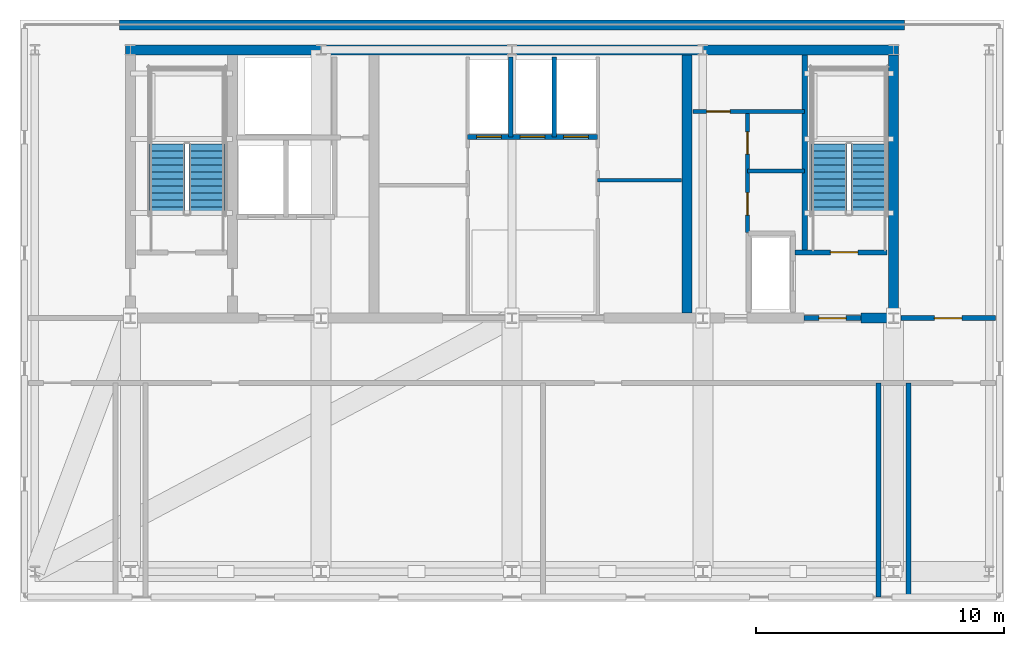
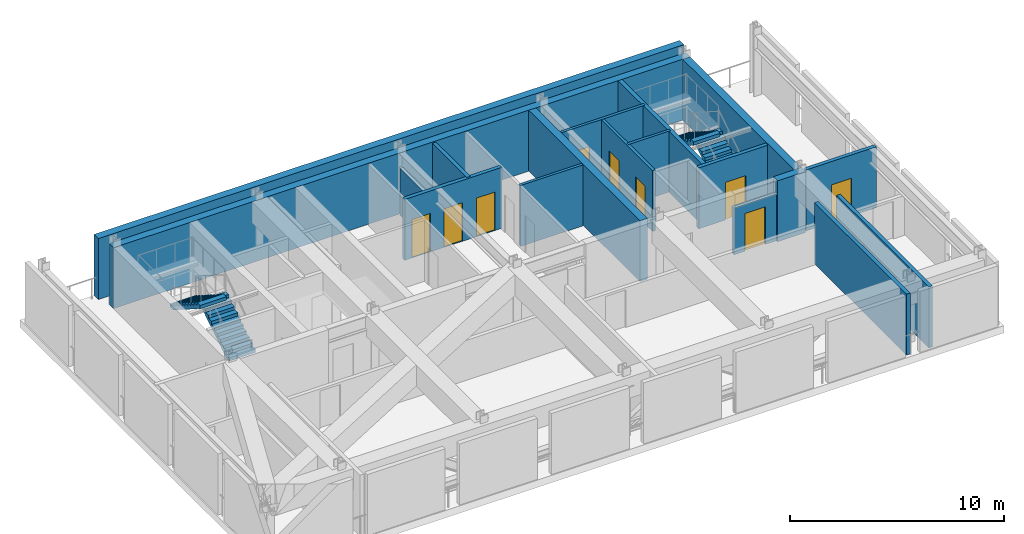
# One storey, part 3 of 8: 18 walls, 9 doors, 4 stair flights, 9 openings, 2 elements without a shape of their own.
"""IFC4 building model written with IfcOpenShell, lengths in metres."""

from ifc_helpers import new_model, si_unit, direction, frame, frame_2d, origin, place, context, subcontext, project, spatial, polyline, rectangle, outline, extrude, material, layer, layer_set, type_object, element, fill, aggregate, save


model = new_model("IFC4")

# Units and contexts
model_context = context("Model", 3, precision=1e-05, world=origin(), true_north=direction((0.0, 1.0)))
body_context = subcontext(model_context, "Body", "Model", "MODEL_VIEW")
ifc_project = project(units=[si_unit("LENGTHUNIT", "METRE"), si_unit("AREAUNIT", "SQUARE_METRE"), si_unit("VOLUMEUNIT", "CUBIC_METRE"), si_unit("PLANEANGLEUNIT", "RADIAN"), si_unit("MASSUNIT", "GRAM", prefix="KILO")], contexts=[model_context])

# Site, building, storey
site_placement = place(None, origin())
site = spatial("IfcSite", under=ifc_project, at=site_placement, CompositionType="ELEMENT")
building_placement = place(site_placement, origin())
building = spatial("IfcBuilding", under=site, at=building_placement, Name="Yelkora Congress Tower", CompositionType="ELEMENT")
storey_placement = place(building_placement, frame((0.0, 0.0, 255.199951171875)))
storey = spatial("IfcBuildingStorey", under=building, at=storey_placement, Name="L71", CompositionType="ELEMENT", Elevation=255.199951171875)

# Walls
ifc_material_1 = material(Name="Concrete C50/60", Category="concrete")
ifc_layer_1 = layer(ifc_material_1, 0.39990234375)
ifc_layer_set_1 = layer_set([ifc_layer_1], Name="Concrete C50/60")
wall_type_1 = type_object("IfcWallType", Name="WALL-CORE-EXT-400", PredefinedType="SHEAR", material=ifc_layer_set_1)
wall_1_placement = place(storey_placement, frame((22.60009765625, 47.199951171875, 0.0), z_axis=(0.0, 0.0, 1.0), x_axis=(1.0, 0.0, 0.0)))
element("IfcWall", 1, at=wall_1_placement, inside=storey, type_object=wall_type_1, Name="L71 Exterior North Core Shear Wall", PredefinedType="SHEAR", context=body_context, shape_type="SweptSolid", body=[
    extrude(rectangle(XDim=31.599853515625, YDim=0.39990234375, at=frame_2d((15.7998046875, 0.0))), origin(), (0.0, 0.0, 1.0), 3.47998046875),
])
ifc_layer_2 = layer(ifc_material_1, 0.219970703125)
ifc_layer_set_2 = layer_set([ifc_layer_2], Name="Concrete C50/60")
wall_type_2 = type_object("IfcWallType", Name="WALL-CORE-INT-220", PredefinedType="SHEAR", material=ifc_layer_set_2)
wall_2_placement = place(storey_placement, frame((50.179931640625, 38.050048828125, 0.0), z_axis=(0.0, 0.0, 1.0), x_axis=(0.0, 1.0, 0.0)))
element("IfcWall", 2, at=wall_2_placement, inside=storey, type_object=wall_type_2, Name="L71 ST02 West Stair Shear Wall", PredefinedType="SHEAR", context=body_context, shape_type="SweptSolid", body=[
    extrude(rectangle(XDim=7.949951171875, YDim=0.219970703125, at=frame_2d((3.97509765625, 0.0))), origin(), (0.0, 0.0, 1.0), 3.47998046875),
])
ifc_layer_3 = layer(ifc_material_1, 0.39990234375)
ifc_layer_set_3 = layer_set([ifc_layer_3], Name="Concrete C50/60")
wall_type_3 = type_object("IfcWallType", Name="WALL-CORE-INT-400", PredefinedType="SHEAR", material=ifc_layer_set_3)
wall_3_placement = place(storey_placement, frame((22.840087890625, 46.199951171875, 0.0), z_axis=(0.0, 0.0, 1.0), x_axis=(1.0, 0.0, 0.0)))
element("IfcWall", 3, at=wall_3_placement, inside=storey, type_object=wall_type_3, Name="L71 Rear Core North Shear Wall", PredefinedType="SHEAR", context=body_context, shape_type="SweptSolid", body=[
    extrude(rectangle(XDim=31.119873046875, YDim=0.39990234375, at=frame_2d((15.56005859375, 0.0))), origin(), (0.0, 0.0, 1.0), 3.47998046875),
])
wall_4_placement = place(storey_placement, frame((52.449951171875, 35.39990234375, 0.0), z_axis=(0.0, 0.0, 1.0), x_axis=(1.0, 0.0, 0.0)))
element("IfcWall", 4, at=wall_4_placement, inside=storey, type_object=wall_type_3, Name="L71 Rear Core South-East Shear Wall B", PredefinedType="SHEAR", context=body_context, shape_type="SweptSolid", body=[
    extrude(rectangle(XDim=1.510009765625, YDim=0.39990234375, at=frame_2d((0.7548828125, 0.0))), origin(), (0.0, 0.0, 1.0), 3.47998046875),
])
for number, where, z_axis, x_axis, name in (
    (5, (45.449951171875, 35.60009765625, 0.0), (0.0, 0.0, 1.0), (0.0, 1.0, 0.0), "L71 Rear Core Cross Shear Wall C3"),
    (6, (53.760009765625, 35.60009765625, 0.0), (0.0, 0.0, 1.0), (0.0, 1.0, 0.0), "L71 Rear Core Cross Shear Wall E"),
):
    element("IfcWall", number, at=place(storey_placement, frame(where, z_axis=z_axis, x_axis=x_axis)), inside=storey, type_object=wall_type_3, Name=name, PredefinedType="SHEAR", context=body_context, shape_type="SweptSolid", body=[
        extrude(rectangle(XDim=10.39990234375, YDim=0.39990234375, at=frame_2d((5.199951171875, 0.0))), origin(), (0.0, 0.0, 1.0), 3.47998046875),
    ])

# Wall, opening, door
ifc_material_2 = material(Name="Acoustic metal-stud gypsum partition", Category="gypsum")
ifc_layer_4 = layer(ifc_material_2, 0.14990234375)
ifc_layer_set_4 = layer_set([ifc_layer_4], Name="Acoustic metal-stud gypsum partition")
wall_type_4 = type_object("IfcWallType", Name="WALL-INT-150-NR", PredefinedType="PARTITIONING", material=ifc_layer_set_4)
wall_5_placement = place(storey_placement, frame((45.679931640625, 43.719970703125, 0.0), z_axis=(0.0, 0.0, 1.0), x_axis=(1.0, 0.0, 0.0)))
wall_5 = element("IfcWall", 7, at=wall_5_placement, inside=storey, type_object=wall_type_4, Name="L71 Partition Wall 20", PredefinedType="PARTITIONING", context=body_context, shape_type="SweptSolid", body=[
    extrude(rectangle(XDim=4.5, YDim=0.14990234375, at=frame_2d((2.25, 0.0))), origin(), (0.0, 0.0, 1.0), 3.47998046875),
])
opening_1_placement = place(wall_5_placement, frame((0.550048828125, 0.0, 0.0)))
opening_1 = element("IfcOpeningElement", 8, at=opening_1_placement, cuts=wall_5, Name="Opening DR-095N", PredefinedType="OPENING", context=body_context, shape_type="SweptSolid", body=[
    extrude(rectangle(XDim=0.949951171875, YDim=2.14990234375, at=frame_2d((0.47509765625, 1.074951171875))), frame((0.0, 0.0849609375, 0.0), z_axis=(0.0, -1.0, 0.0), x_axis=(1.0, 0.0, 0.0)), (0.0, 0.0, 1.0), 0.169921875),
])
ifc_material_3 = material(Name="Acoustic laminated timber office door", Category="wood")
door_type_1 = type_object("IfcDoorType", Name="DOOR-INT-950", OperationType="NOTDEFINED", PredefinedType="DOOR", material=ifc_material_3)
door_1_placement = place(opening_1_placement, origin())
door_1 = element("IfcDoor", 9, at=door_1_placement, inside=storey, type_object=door_type_1, Name="L71 Accessible WC Door", OperationType="SINGLE_SWING_LEFT", OverallHeight=2.14990234375, OverallWidth=0.949951171875, PredefinedType="DOOR", context=body_context, shape_type="SweptSolid", body=[
    extrude(rectangle(XDim=0.949951171875, YDim=2.14990234375, at=frame_2d((0.47509765625, 1.074951171875))), frame((0.0, 0.02490234375, 0.0), z_axis=(0.0, -1.0, 0.0), x_axis=(1.0, 0.0, 0.0)), (0.0, 0.0, 1.0), 0.050048828125),
])
fill(opening_1, door_1)

# Wall
wall_6_placement = place(storey_placement, frame((47.8798828125, 41.320068359375, 0.0), z_axis=(0.0, 0.0, 1.0), x_axis=(1.0, 0.0, 0.0)))
element("IfcWall", 10, at=wall_6_placement, inside=storey, type_object=wall_type_4, Name="L71 Partition Wall 21", PredefinedType="PARTITIONING", context=body_context, shape_type="SweptSolid", body=[
    extrude(rectangle(XDim=2.300048828125, YDim=0.14990234375, at=frame_2d((1.14990234375, 0.0))), origin(), (0.0, 0.0, 1.0), 3.47998046875),
])

# Wall, openings, doors
wall_7_placement = place(storey_placement, frame((47.8798828125, 38.85009765625, 0.0), z_axis=(0.0, 0.0, 1.0), x_axis=(0.0, 1.0, 0.0)))
wall_7 = element("IfcWall", 11, at=wall_7_placement, inside=storey, type_object=wall_type_4, Name="L71 Partition Wall 22", PredefinedType="PARTITIONING", context=body_context, shape_type="SweptSolid", body=[
    extrude(rectangle(XDim=4.869873046875, YDim=0.14990234375, at=frame_2d((2.43505859375, 0.0))), origin(), (0.0, 0.0, 1.0), 3.47998046875),
])
opening_2_placement = place(wall_7_placement, frame((0.699951171875, 0.0, 0.0)))
opening_2 = element("IfcOpeningElement", 12, at=opening_2_placement, cuts=wall_7, Name="Opening DR-090N", PredefinedType="OPENING", context=body_context, shape_type="SweptSolid", body=[
    extrude(rectangle(XDim=0.89990234375, YDim=2.14990234375, at=frame_2d((0.449951171875, 1.074951171875))), frame((0.0, 0.0849609375, 0.0), z_axis=(0.0, -1.0, 0.0), x_axis=(1.0, 0.0, 0.0)), (0.0, 0.0, 1.0), 0.169921875),
])
opening_3_placement = place(wall_7_placement, frame((3.14990234375, 0.0, 0.0)))
opening_3 = element("IfcOpeningElement", 13, at=opening_3_placement, cuts=wall_7, Name="Opening DR-090N", PredefinedType="OPENING", context=body_context, shape_type="SweptSolid", body=[
    extrude(rectangle(XDim=0.89990234375, YDim=2.14990234375, at=frame_2d((0.449951171875, 1.074951171875))), frame((0.0, 0.0849609375, 0.0), z_axis=(0.0, -1.0, 0.0), x_axis=(1.0, 0.0, 0.0)), (0.0, 0.0, 1.0), 0.169921875),
])
ifc_material_4 = material(Name="Moisture-resistant laminate door leaf", Category="wood")
door_type_2 = type_object("IfcDoorType", Name="DOOR-INT-900", OperationType="NOTDEFINED", PredefinedType="DOOR", material=ifc_material_4)
door_2_placement = place(opening_2_placement, origin())
door_2 = element("IfcDoor", 14, at=door_2_placement, inside=storey, type_object=door_type_2, Name="L71 Male WC Door", OperationType="SINGLE_SWING_RIGHT", OverallHeight=2.14990234375, OverallWidth=0.89990234375, PredefinedType="DOOR", context=body_context, shape_type="SweptSolid", body=[
    extrude(rectangle(XDim=0.89990234375, YDim=2.14990234375, at=frame_2d((0.449951171875, 1.074951171875))), frame((0.0, 0.02490234375, 0.0), z_axis=(0.0, -1.0, 0.0), x_axis=(1.0, 0.0, 0.0)), (0.0, 0.0, 1.0), 0.050048828125),
])
fill(opening_2, door_2)
door_3_placement = place(opening_3_placement, origin())
door_3 = element("IfcDoor", 15, at=door_3_placement, inside=storey, type_object=door_type_2, Name="L71 Female WC Door", OperationType="SINGLE_SWING_LEFT", OverallHeight=2.14990234375, OverallWidth=0.89990234375, PredefinedType="DOOR", context=body_context, shape_type="SweptSolid", body=[
    extrude(rectangle(XDim=0.89990234375, YDim=2.14990234375, at=frame_2d((0.449951171875, 1.074951171875))), frame((0.0, 0.02490234375, 0.0), z_axis=(0.0, -1.0, 0.0), x_axis=(1.0, 0.0, 0.0)), (0.0, 0.0, 1.0), 0.050048828125),
])
fill(opening_3, door_3)

# Wall
ifc_material_5 = material(Name="Twin-stud fire-rated gypsum partition", Category="gypsum")
ifc_layer_5 = layer(ifc_material_5, 0.14990234375)
ifc_layer_set_5 = layer_set([ifc_layer_5], Name="Twin-stud fire-rated gypsum partition")
wall_type_5 = type_object("IfcWallType", Name="WALL-INT-150-R60", PredefinedType="PARTITIONING", material=ifc_layer_set_5)
wall_8_placement = place(storey_placement, frame((41.85009765625, 40.949951171875, 0.0), z_axis=(0.0, 0.0, 1.0), x_axis=(1.0, 0.0, 0.0)))
element("IfcWall", 16, at=wall_8_placement, inside=storey, type_object=wall_type_5, Name="L71 Partition Wall 13", PredefinedType="PARTITIONING", context=body_context, shape_type="SweptSolid", body=[
    extrude(rectangle(XDim=3.369873046875, YDim=0.14990234375, at=frame_2d((1.68505859375, 0.0))), origin(), (0.0, 0.0, 1.0), 3.47998046875),
])

# Wall, openings, doors
ifc_material_6 = material(Name="Autoclaved aerated concrete blockwork", Category="masonry")
ifc_layer_6 = layer(ifc_material_6, 0.199951171875)
ifc_layer_set_6 = layer_set([ifc_layer_6], Name="Autoclaved aerated concrete blockwork")
wall_type_6 = type_object("IfcWallType", Name="WALL-INT-200-R120", PredefinedType="PARTITIONING", material=ifc_layer_set_6)
wall_9_placement = place(storey_placement, frame((36.60009765625, 42.699951171875, 0.0), z_axis=(0.0, 0.0, 1.0), x_axis=(1.0, 0.0, 0.0)))
wall_9 = element("IfcWall", 17, at=wall_9_placement, inside=storey, type_object=wall_type_6, Name="L71 Partition Wall 8", PredefinedType="PARTITIONING", context=body_context, shape_type="SweptSolid", body=[
    extrude(rectangle(XDim=5.25, YDim=0.199951171875, at=frame_2d((2.625, 0.0))), origin(), (0.0, 0.0, 1.0), 3.47998046875),
])
opening_4_placement = place(wall_9_placement, frame((0.375, 0.0, 0.0)))
opening_4 = element("IfcOpeningElement", 18, at=opening_4_placement, cuts=wall_9, Name="Opening LD-PS10", PredefinedType="OPENING", context=body_context, shape_type="SweptSolid", body=[
    extrude(rectangle(XDim=1.0, YDim=2.199951171875, at=frame_2d((0.5, 1.10009765625))), frame((0.0, 0.10986328125, 0.0), z_axis=(0.0, -1.0, 0.0), x_axis=(1.0, 0.0, 0.0)), (0.0, 0.0, 1.0), 0.219970703125),
])
opening_5_placement = place(wall_9_placement, frame((2.125, 0.0, 0.0)))
opening_5 = element("IfcOpeningElement", 19, at=opening_5_placement, cuts=wall_9, Name="Opening LD-PS10", PredefinedType="OPENING", context=body_context, shape_type="SweptSolid", body=[
    extrude(rectangle(XDim=1.0, YDim=2.199951171875, at=frame_2d((0.5, 1.10009765625))), frame((0.0, 0.10986328125, 0.0), z_axis=(0.0, -1.0, 0.0), x_axis=(1.0, 0.0, 0.0)), (0.0, 0.0, 1.0), 0.219970703125),
])
opening_6_placement = place(wall_9_placement, frame((3.875, 0.0, 0.0)))
opening_6 = element("IfcOpeningElement", 20, at=opening_6_placement, cuts=wall_9, Name="Opening LD-PS10", PredefinedType="OPENING", context=body_context, shape_type="SweptSolid", body=[
    extrude(rectangle(XDim=1.0, YDim=2.199951171875, at=frame_2d((0.5, 1.10009765625))), frame((0.0, 0.10986328125, 0.0), z_axis=(0.0, -1.0, 0.0), x_axis=(1.0, 0.0, 0.0)), (0.0, 0.0, 1.0), 0.219970703125),
])
ifc_material_7 = material(Name="Champagne stainless steel landing door", Category="steel")
door_type_3 = type_object("IfcDoorType", Name="DOOR-LIFT-PAS-1000", OperationType="DOUBLE_DOOR_SLIDING", PredefinedType="DOOR", material=ifc_material_7)
door_4_placement = place(opening_4_placement, origin())
door_4 = element("IfcDoor", 21, at=door_4_placement, inside=storey, type_object=door_type_3, Name="Lift Landing Door LF-P9 L71", OperationType="DOUBLE_DOOR_SLIDING", OverallHeight=2.199951171875, OverallWidth=1.0, PredefinedType="DOOR", context=body_context, shape_type="SweptSolid", body=[
    extrude(rectangle(XDim=1.0, YDim=2.199951171875, at=frame_2d((0.5, 1.10009765625))), frame((0.0, 0.02490234375, 0.0), z_axis=(0.0, -1.0, 0.0), x_axis=(1.0, 0.0, 0.0)), (0.0, 0.0, 1.0), 0.050048828125),
])
fill(opening_4, door_4)
door_5_placement = place(opening_5_placement, origin())
door_5 = element("IfcDoor", 22, at=door_5_placement, inside=storey, type_object=door_type_3, Name="Lift Landing Door LF-P10 L71", OperationType="DOUBLE_DOOR_SLIDING", OverallHeight=2.199951171875, OverallWidth=1.0, PredefinedType="DOOR", context=body_context, shape_type="SweptSolid", body=[
    extrude(rectangle(XDim=1.0, YDim=2.199951171875, at=frame_2d((0.5, 1.10009765625))), frame((0.0, 0.02490234375, 0.0), z_axis=(0.0, -1.0, 0.0), x_axis=(1.0, 0.0, 0.0)), (0.0, 0.0, 1.0), 0.050048828125),
])
fill(opening_5, door_5)
door_6_placement = place(opening_6_placement, origin())
door_6 = element("IfcDoor", 23, at=door_6_placement, inside=storey, type_object=door_type_3, Name="Lift Landing Door LF-P11 L71", OperationType="DOUBLE_DOOR_SLIDING", OverallHeight=2.199951171875, OverallWidth=1.0, PredefinedType="DOOR", context=body_context, shape_type="SweptSolid", body=[
    extrude(rectangle(XDim=1.0, YDim=2.199951171875, at=frame_2d((0.5, 1.10009765625))), frame((0.0, 0.02490234375, 0.0), z_axis=(0.0, -1.0, 0.0), x_axis=(1.0, 0.0, 0.0)), (0.0, 0.0, 1.0), 0.050048828125),
])
fill(opening_6, door_6)

# Walls
wall_10_placement = place(storey_placement, frame((38.35009765625, 42.699951171875, 0.0), z_axis=(0.0, 0.0, 1.0), x_axis=(0.0, 1.0, 0.0)))
element("IfcWall", 24, at=wall_10_placement, inside=storey, type_object=wall_type_6, Name="L71 Partition Wall 9", PredefinedType="PARTITIONING", context=body_context, shape_type="SweptSolid", body=[
    extrude(rectangle(XDim=3.219970703125, YDim=0.199951171875, at=frame_2d((1.60986328125, 0.0))), origin(), (0.0, 0.0, 1.0), 2.6611328125),
])
wall_11_placement = place(storey_placement, frame((40.10009765625, 42.699951171875, 0.0), z_axis=(0.0, 0.0, 1.0), x_axis=(0.0, 1.0, 0.0)))
element("IfcWall", 25, at=wall_11_placement, inside=storey, type_object=wall_type_6, Name="L71 Partition Wall 10", PredefinedType="PARTITIONING", context=body_context, shape_type="SweptSolid", body=[
    extrude(rectangle(XDim=3.219970703125, YDim=0.199951171875, at=frame_2d((1.60986328125, 0.0))), origin(), (0.0, 0.0, 1.0), 3.47998046875),
])

# Wall, opening, door
wall_12_placement = place(storey_placement, frame((49.780029296875, 38.050048828125, 0.0), z_axis=(0.0, 0.0, 1.0), x_axis=(1.0, 0.0, 0.0)))
wall_12 = element("IfcWall", 26, at=wall_12_placement, inside=storey, type_object=wall_type_6, Name="L71 Stair ST-02 Enclosure Wall", PredefinedType="PARTITIONING", context=body_context, shape_type="SweptSolid", body=[
    extrude(rectangle(XDim=3.719970703125, YDim=0.199951171875, at=frame_2d((1.85986328125, 0.0))), origin(), (0.0, 0.0, 1.0), 3.47998046875),
])
opening_7_placement = place(wall_12_placement, frame((1.436279296875, 0.0, 0.0)))
opening_7 = element("IfcOpeningElement", 27, at=opening_7_placement, cuts=wall_12, Name="Opening DR-110F9", PredefinedType="OPENING", context=body_context, shape_type="SweptSolid", body=[
    extrude(rectangle(XDim=1.10009765625, YDim=2.14990234375, at=frame_2d((0.550048828125, 1.074951171875))), frame((0.0, 0.10986328125, 0.0), z_axis=(0.0, -1.0, 0.0), x_axis=(1.0, 0.0, 0.0)), (0.0, 0.0, 1.0), 0.219970703125),
])
ifc_material_8 = material(Name="Galvanised steel fire door leaf", Category="steel")
door_type_4 = type_object("IfcDoorType", Name="DOOR-FD90-1100", OperationType="NOTDEFINED", PredefinedType="DOOR", material=ifc_material_8)
door_7_placement = place(opening_7_placement, origin())
door_7 = element("IfcDoor", 28, at=door_7_placement, inside=storey, type_object=door_type_4, Name="L71 Stair ST-02 Entry Door", OperationType="SINGLE_SWING_RIGHT", OverallHeight=2.14990234375, OverallWidth=1.10009765625, PredefinedType="DOOR", context=body_context, shape_type="SweptSolid", body=[
    extrude(rectangle(XDim=1.10009765625, YDim=2.14990234375, at=frame_2d((0.550048828125, 1.074951171875))), frame((0.0, 0.02490234375, 0.0), z_axis=(0.0, -1.0, 0.0), x_axis=(1.0, 0.0, 0.0)), (0.0, 0.0, 1.0), 0.050048828125),
])
fill(opening_7, door_7)

wall_13_placement = place(storey_placement, frame((50.14990234375, 35.39990234375, 0.0), z_axis=(0.0, 0.0, 1.0), x_axis=(1.0, 0.0, 0.0)))
wall_13 = element("IfcWall", 29, at=wall_13_placement, inside=storey, type_object=wall_type_6, Name="L71 Partition Wall 16", PredefinedType="PARTITIONING", context=body_context, shape_type="SweptSolid", body=[
    extrude(rectangle(XDim=2.300048828125, YDim=0.199951171875, at=frame_2d((1.14990234375, 0.0))), origin(), (0.0, 0.0, 1.0), 2.6611328125),
])
opening_8_placement = place(wall_13_placement, frame((0.60009765625, 0.0, 0.0)))
opening_8 = element("IfcOpeningElement", 30, at=opening_8_placement, cuts=wall_13, Name="Opening DR-110F9", PredefinedType="OPENING", context=body_context, shape_type="SweptSolid", body=[
    extrude(rectangle(XDim=1.10009765625, YDim=2.14990234375, at=frame_2d((0.550048828125, 1.074951171875))), frame((0.0, 0.10986328125, 0.0), z_axis=(0.0, -1.0, 0.0), x_axis=(1.0, 0.0, 0.0)), (0.0, 0.0, 1.0), 0.219970703125),
])
door_8_placement = place(opening_8_placement, origin())
door_8 = element("IfcDoor", 31, at=door_8_placement, inside=storey, type_object=door_type_4, Name="L71 East Stair Lobby Door", OperationType="SINGLE_SWING_LEFT", OverallHeight=2.14990234375, OverallWidth=1.10009765625, PredefinedType="DOOR", context=body_context, shape_type="SweptSolid", body=[
    extrude(rectangle(XDim=1.10009765625, YDim=2.14990234375, at=frame_2d((0.550048828125, 1.074951171875))), frame((0.0, 0.02490234375, 0.0), z_axis=(0.0, -1.0, 0.0), x_axis=(1.0, 0.0, 0.0)), (0.0, 0.0, 1.0), 0.050048828125),
])
fill(opening_8, door_8)

wall_14_placement = place(storey_placement, frame((54.050048828125, 35.39990234375, 0.0), z_axis=(0.0, 0.0, 1.0), x_axis=(1.0, 0.0, 0.0)))
wall_14 = element("IfcWall", 32, at=wall_14_placement, inside=storey, type_object=wall_type_6, Name="L71 Partition Wall 24", PredefinedType="PARTITIONING", context=body_context, shape_type="SweptSolid", body=[
    extrude(rectangle(XDim=3.800048828125, YDim=0.199951171875, at=frame_2d((1.89990234375, 0.0))), origin(), (0.0, 0.0, 1.0), 3.47998046875),
])
opening_9_placement = place(wall_14_placement, frame((1.35009765625, 0.0, 0.0)))
opening_9 = element("IfcOpeningElement", 33, at=opening_9_placement, cuts=wall_14, Name="Opening DR-110F9", PredefinedType="OPENING", context=body_context, shape_type="SweptSolid", body=[
    extrude(rectangle(XDim=1.10009765625, YDim=2.14990234375, at=frame_2d((0.550048828125, 1.074951171875))), frame((0.0, 0.10986328125, 0.0), z_axis=(0.0, -1.0, 0.0), x_axis=(1.0, 0.0, 0.0)), (0.0, 0.0, 1.0), 0.219970703125),
])
door_9_placement = place(opening_9_placement, origin())
door_9 = element("IfcDoor", 34, at=door_9_placement, inside=storey, type_object=door_type_4, Name="L71 Interior Door 20", OperationType="SINGLE_SWING_RIGHT", OverallHeight=2.14990234375, OverallWidth=1.10009765625, PredefinedType="DOOR", context=body_context, shape_type="SweptSolid", body=[
    extrude(rectangle(XDim=1.10009765625, YDim=2.14990234375, at=frame_2d((0.550048828125, 1.074951171875))), frame((0.0, 0.02490234375, 0.0), z_axis=(0.0, -1.0, 0.0), x_axis=(1.0, 0.0, 0.0)), (0.0, 0.0, 1.0), 0.050048828125),
])
fill(opening_9, door_9)

# Walls
for number, where, z_axis, x_axis, name in (
    (35, (53.14990234375, 24.179931640625, 0.0), (0.0, 0.0, 1.0), (0.0, 1.0, 0.0), "L71 Partition Wall 28"),
    (36, (54.35009765625, 24.179931640625, 0.0), (0.0, 0.0, 1.0), (0.0, 1.0, 0.0), "L71 Partition Wall 29"),
):
    element("IfcWall", number, at=place(storey_placement, frame(where, z_axis=z_axis, x_axis=x_axis)), inside=storey, type_object=wall_type_6, Name=name, PredefinedType="PARTITIONING", context=body_context, shape_type="SweptSolid", body=[
        extrude(rectangle(XDim=8.6201171875, YDim=0.199951171875, at=frame_2d((4.31005859375, 0.0))), origin(), (0.0, 0.0, 1.0), 3.47998046875),
    ])

# Stair, stair flights
ifc_material_9 = material(Name="Concrete C40/50", Category="concrete")
stair_type = type_object("IfcStairType", Name="STAIR-HT-1420-R22-177", PredefinedType="HALF_TURN_STAIR", material=ifc_material_9)
stair_1_placement = place(storey_placement, origin())
stair_1 = element("IfcStair", 37, at=stair_1_placement, inside=storey, type_object=stair_type, Name="West Core Protected Exit Stair ST-01 (L71)", PredefinedType="HALF_TURN_STAIR")
stair_flight_type = type_object("IfcStairFlightType", Name="FLIGHT-1420-N11-R177-G280", PredefinedType="STRAIGHT", material=ifc_material_9)
stair_flight_1_placement = place(storey_placement, frame((26.110107421875, 39.60009765625, 0.0), z_axis=(0.0, 0.0, 1.0), x_axis=(0.0, 1.0, 0.0)))
stair_flight_1 = element("IfcStairFlight", 38, at=stair_flight_1_placement, type_object=stair_flight_type, Name="ST-01 L71 Flight 1", NumberOfRisers=11, NumberOfTreads=10, PredefinedType="STRAIGHT", RiserHeight=0.177272727, TreadLength=0.28, context=body_context, shape_type="SweptSolid", body=[
    extrude(outline(polyline([(0.0, 0.0), (0.0, 0.17724609375), (0.280029296875, 0.17724609375), (0.280029296875, 0.3544921875), (0.56005859375, 0.3544921875), (0.56005859375, 0.53173828125), (0.840087890625, 0.53173828125), (0.840087890625, 0.708984375), (1.1201171875, 0.708984375), (1.1201171875, 0.886474609375), (1.39990234375, 0.886474609375), (1.39990234375, 1.063720703125), (1.679931640625, 1.063720703125), (1.679931640625, 1.240966796875), (1.9599609375, 1.240966796875), (1.9599609375, 1.418212890625), (2.239990234375, 1.418212890625), (2.239990234375, 1.595458984375), (2.52001953125, 1.595458984375), (2.52001953125, 1.772705078125), (2.800048828125, 1.772705078125), (2.800048828125, 1.949951171875), (2.800048828125, 1.58349609375), (0.298828125, 0.0), (0.0, 0.0)])), frame((0.0, 0.7099609375, 0.0), z_axis=(0.0, -1.0, 0.0), x_axis=(1.0, 0.0, 0.0)), (0.0, 0.0, 1.0), 1.419921875),
])
stair_flight_2_placement = place(storey_placement, frame((24.530029296875, 42.39990234375, 1.949951171875), z_axis=(0.0, 0.0, 1.0), x_axis=(0.0, -1.0, 0.0)))
stair_flight_2 = element("IfcStairFlight", 39, at=stair_flight_2_placement, type_object=stair_flight_type, Name="ST-01 L71 Flight 2", NumberOfRisers=11, NumberOfTreads=10, PredefinedType="STRAIGHT", RiserHeight=0.177272727, TreadLength=0.28, context=body_context, shape_type="SweptSolid", body=[
    extrude(outline(polyline([(0.0, 0.0), (0.0, 0.17724609375), (0.280029296875, 0.17724609375), (0.280029296875, 0.3544921875), (0.56005859375, 0.3544921875), (0.56005859375, 0.53173828125), (0.840087890625, 0.53173828125), (0.840087890625, 0.708984375), (1.1201171875, 0.708984375), (1.1201171875, 0.886474609375), (1.39990234375, 0.886474609375), (1.39990234375, 1.063720703125), (1.679931640625, 1.063720703125), (1.679931640625, 1.240966796875), (1.9599609375, 1.240966796875), (1.9599609375, 1.418212890625), (2.239990234375, 1.418212890625), (2.239990234375, 1.595458984375), (2.52001953125, 1.595458984375), (2.52001953125, 1.772705078125), (2.800048828125, 1.772705078125), (2.800048828125, 1.949951171875), (2.800048828125, 1.58349609375), (0.298828125, 0.0), (0.0, 0.0)])), frame((0.0, 0.7099609375, 0.0), z_axis=(0.0, -1.0, 0.0), x_axis=(1.0, 0.0, 0.0)), (0.0, 0.0, 1.0), 1.419921875),
])
aggregate(stair_1, [stair_flight_1, stair_flight_2])

stair_2_placement = place(storey_placement, origin())
stair_2 = element("IfcStair", 40, at=stair_2_placement, inside=storey, type_object=stair_type, Name="East Core Protected Exit Stair ST-02 (L71)", PredefinedType="HALF_TURN_STAIR")
stair_flight_3_placement = place(storey_placement, frame((52.75, 39.60009765625, 0.0), z_axis=(0.0, 0.0, 1.0), x_axis=(0.0, 1.0, 0.0)))
stair_flight_3 = element("IfcStairFlight", 41, at=stair_flight_3_placement, type_object=stair_flight_type, Name="ST-02 L71 Flight 1", NumberOfRisers=11, NumberOfTreads=10, PredefinedType="STRAIGHT", RiserHeight=0.177272727, TreadLength=0.28, context=body_context, shape_type="SweptSolid", body=[
    extrude(outline(polyline([(0.0, 0.0), (0.0, 0.17724609375), (0.280029296875, 0.17724609375), (0.280029296875, 0.3544921875), (0.56005859375, 0.3544921875), (0.56005859375, 0.53173828125), (0.840087890625, 0.53173828125), (0.840087890625, 0.708984375), (1.1201171875, 0.708984375), (1.1201171875, 0.886474609375), (1.39990234375, 0.886474609375), (1.39990234375, 1.063720703125), (1.679931640625, 1.063720703125), (1.679931640625, 1.240966796875), (1.9599609375, 1.240966796875), (1.9599609375, 1.418212890625), (2.239990234375, 1.418212890625), (2.239990234375, 1.595458984375), (2.52001953125, 1.595458984375), (2.52001953125, 1.772705078125), (2.800048828125, 1.772705078125), (2.800048828125, 1.949951171875), (2.800048828125, 1.58349609375), (0.298828125, 0.0), (0.0, 0.0)])), frame((0.0, 0.7099609375, 0.0), z_axis=(0.0, -1.0, 0.0), x_axis=(1.0, 0.0, 0.0)), (0.0, 0.0, 1.0), 1.419921875),
])
stair_flight_4_placement = place(storey_placement, frame((51.169921875, 42.39990234375, 1.949951171875), z_axis=(0.0, 0.0, 1.0), x_axis=(0.0, -1.0, 0.0)))
stair_flight_4 = element("IfcStairFlight", 42, at=stair_flight_4_placement, type_object=stair_flight_type, Name="ST-02 L71 Flight 2", NumberOfRisers=11, NumberOfTreads=10, PredefinedType="STRAIGHT", RiserHeight=0.177272727, TreadLength=0.28, context=body_context, shape_type="SweptSolid", body=[
    extrude(outline(polyline([(0.0, 0.0), (0.0, 0.17724609375), (0.280029296875, 0.17724609375), (0.280029296875, 0.3544921875), (0.56005859375, 0.3544921875), (0.56005859375, 0.53173828125), (0.840087890625, 0.53173828125), (0.840087890625, 0.708984375), (1.1201171875, 0.708984375), (1.1201171875, 0.886474609375), (1.39990234375, 0.886474609375), (1.39990234375, 1.063720703125), (1.679931640625, 1.063720703125), (1.679931640625, 1.240966796875), (1.9599609375, 1.240966796875), (1.9599609375, 1.418212890625), (2.239990234375, 1.418212890625), (2.239990234375, 1.595458984375), (2.52001953125, 1.595458984375), (2.52001953125, 1.772705078125), (2.800048828125, 1.772705078125), (2.800048828125, 1.949951171875), (2.800048828125, 1.58349609375), (0.298828125, 0.0), (0.0, 0.0)])), frame((0.0, 0.7099609375, 0.0), z_axis=(0.0, -1.0, 0.0), x_axis=(1.0, 0.0, 0.0)), (0.0, 0.0, 1.0), 1.419921875),
])
aggregate(stair_2, [stair_flight_3, stair_flight_4])

save(model, "model.ifc")
